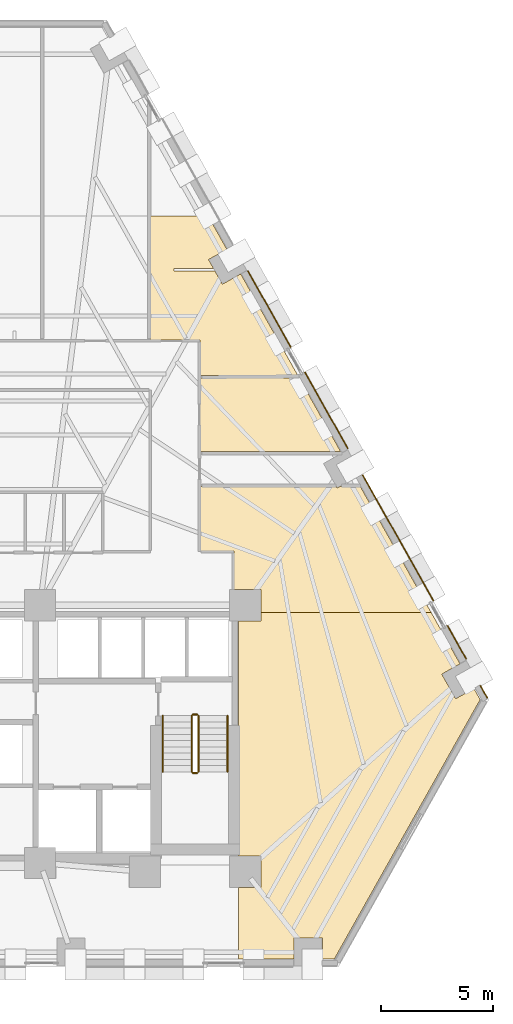
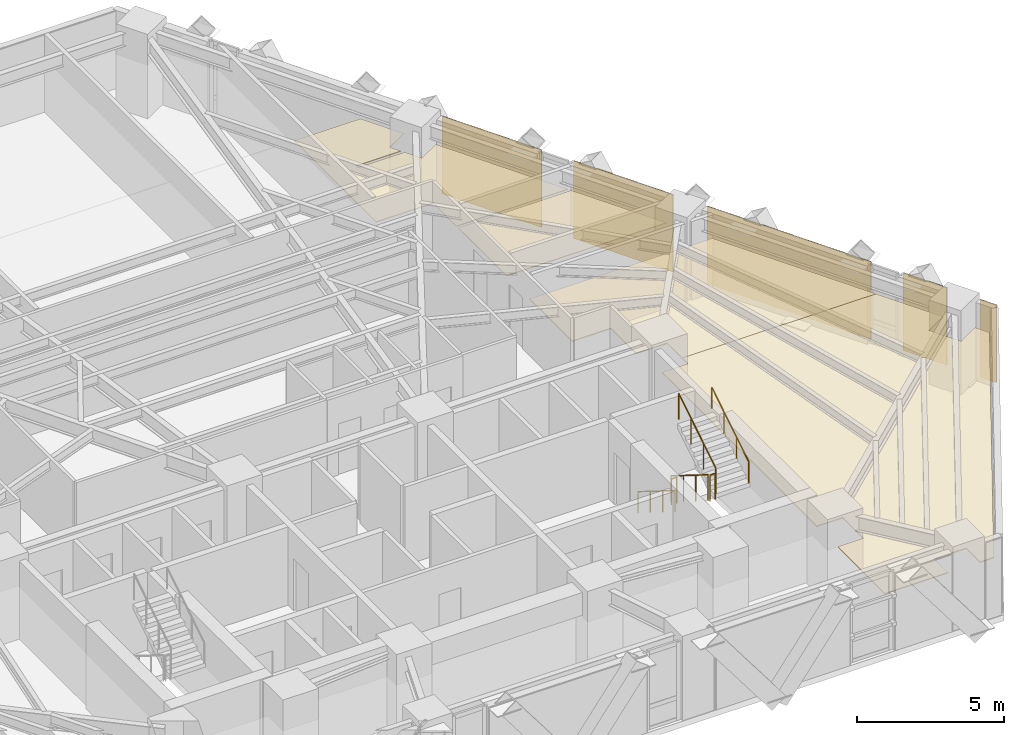
# One storey, part 12 of 13: 9 coverings, 6 railings.
"""IFC4 building model written with IfcOpenShell, lengths in metres."""

import ifcopenshell
import ifcopenshell.guid

model = None  # the IFC model being written
_history = None  # IfcOwnerHistory: only IFC2X3 demands one
_inside = {}  # id of a spatial element -> (the spatial element, [elements in it])
_under = {}  # id of a project, library or spatial element -> (it, [spatial elements below it])
_declared = {}  # id of a project -> (the project, [libraries it declares])
_typed = {}  # id of a type object -> (the type object, [elements of that type])
_made_of = {}  # id of a material, layer set ... -> (it, [elements and type objects made of it])


def new_model(schema):
    """Start an empty IFC model of exactly this schema.

    Asked for "IFC4X3", IfcOpenShell would pick the latest addendum, in which some entities
    have other attributes; the version numbers below select the first issue.
    IFC2X3 requires an IfcOwnerHistory on every rooted entity: one is made here for all.
    """
    global model, _history
    if schema == "IFC4X3":
        model = ifcopenshell.file(schema_version=(4, 3, 0, 0))
    else:
        model = ifcopenshell.file(schema=schema)
    _inside.clear()
    _under.clear()
    _declared.clear()
    _typed.clear()
    _made_of.clear()
    _history = None
    if model.schema == "IFC2X3":
        org = make("IfcOrganization", Name="unknown")
        user = make(
            "IfcPersonAndOrganization",
            ThePerson=make("IfcPerson", FamilyName="unknown"),
            TheOrganization=org,
        )
        app = make(
            "IfcApplication",
            ApplicationDeveloper=org,
            Version="unknown",
            ApplicationFullName="unknown",
            ApplicationIdentifier="unknown",
        )
        _history = make(
            "IfcOwnerHistory",
            OwningUser=user,
            OwningApplication=app,
            ChangeAction="ADDED",
            CreationDate=0,
        )
    return model


def make(cls, **values):
    """One entity of the class cls with the attributes given. An attribute that is None is left unset."""
    return model.create_entity(
        cls, **{name: value for name, value in values.items() if value is not None}
    )


def rooted(cls, **values):
    """An entity with a GlobalId (a new one), such as an element, a storey or a relation."""
    return make(cls, GlobalId=ifcopenshell.guid.new(), OwnerHistory=_history, **values)


def si_unit(unit_type, name, prefix=None):
    """IfcSIUnit, for example si_unit("LENGTHUNIT", "METRE", prefix="MILLI")."""
    return make("IfcSIUnit", UnitType=unit_type, Prefix=prefix, Name=name)


def assignment(units):
    """IfcUnitAssignment: the units of a project."""
    return None if units is None else make("IfcUnitAssignment", Units=units)


def point(xyz):
    """IfcCartesianPoint."""
    return None if xyz is None else make("IfcCartesianPoint", Coordinates=xyz)


def direction(xyz):
    """IfcDirection."""
    return None if xyz is None else make("IfcDirection", DirectionRatios=xyz)


def frame(location, z_axis=None, x_axis=None):
    """IfcAxis2Placement3D, a coordinate frame: its origin and axes. An axis left out is left unset."""
    return make(
        "IfcAxis2Placement3D",
        Location=point(location),
        Axis=direction(z_axis),
        RefDirection=direction(x_axis),
    )


def frame_2d(location, x_axis=None):
    """IfcAxis2Placement2D, a coordinate frame in the plane: its origin and x axis."""
    return make(
        "IfcAxis2Placement2D", Location=point(location), RefDirection=direction(x_axis)
    )


def origin():
    """The frame at (0, 0, 0) with its axes left unset."""
    return frame((0.0, 0.0, 0.0))


def origin_2d():
    """The frame at (0, 0) in the plane with its x axis left unset."""
    return frame_2d((0.0, 0.0))


def place(relative_to, where):
    """IfcLocalPlacement: puts the frame where relative to a parent placement (None: the world)."""
    return make(
        "IfcLocalPlacement", PlacementRelTo=relative_to, RelativePlacement=where
    )


def context(
    kind, dimensions, precision=None, world=None, true_north=None, identifier=None
):
    """IfcGeometricRepresentationContext, for example the 3D "Model" context."""
    return make(
        "IfcGeometricRepresentationContext",
        ContextIdentifier=identifier,
        ContextType=kind,
        CoordinateSpaceDimension=dimensions,
        Precision=precision,
        WorldCoordinateSystem=world,
        TrueNorth=true_north,
    )


def subcontext(parent, identifier, kind, view, scale=None):
    """IfcGeometricRepresentationSubContext, for example "Body" below "Model"."""
    return make(
        "IfcGeometricRepresentationSubContext",
        ContextIdentifier=identifier,
        ContextType=kind,
        ParentContext=parent,
        TargetScale=scale,
        TargetView=view,
    )


def project(units=None, contexts=None):
    """IfcProject with its units and contexts."""
    return rooted(
        "IfcProject",
        Name="project",
        RepresentationContexts=contexts,
        UnitsInContext=assignment(units),
    )


def spatial(cls, under=None, at=None, **own):
    """A site, building, storey or space (cls), placed at a placement, below another one or the project."""
    s = rooted(cls, ObjectPlacement=at, **own)
    if under is not None:
        _under.setdefault(under.id(), (under, []))[1].append(s)
    return s


def polyline(points):
    """IfcPolyline through the points."""
    return make("IfcPolyline", Points=[point(p) for p in points])


def profile(cls, at=None, kind="AREA", **sizes):
    """A parametric profile (cls). Its sizes go by their IFC names, for example OverallWidth=200.0."""
    return make(cls, ProfileType=kind, Position=at, **sizes)


def circle(**sizes):
    """IfcCircleProfileDef."""
    return profile("IfcCircleProfileDef", **sizes)


def outline(outer, holes=None, kind="AREA"):
    """IfcArbitraryClosedProfileDef: a profile drawn as a closed curve; with holes, ...WithVoids."""
    if holes is None:
        return make("IfcArbitraryClosedProfileDef", ProfileType=kind, OuterCurve=outer)
    return make(
        "IfcArbitraryProfileDefWithVoids",
        ProfileType=kind,
        OuterCurve=outer,
        InnerCurves=holes,
    )


def extrude(swept, where, along, depth):
    """IfcExtrudedAreaSolid: the profile swept, set in the frame where, extruded along a direction by depth."""
    return make(
        "IfcExtrudedAreaSolid",
        SweptArea=swept,
        Position=where,
        ExtrudedDirection=direction(along),
        Depth=depth,
    )


def shape(context_of_items, identifier, shape_type, items):
    """IfcShapeRepresentation: the items that make up one representation, for example the "Body"."""
    return make(
        "IfcShapeRepresentation",
        ContextOfItems=context_of_items,
        RepresentationIdentifier=identifier,
        RepresentationType=shape_type,
        Items=items,
    )


def material(Name=None, Category=None):
    """IfcMaterial."""
    return make("IfcMaterial", Name=Name, Category=Category)


def layer(
    of_material, thickness, ventilated=None, Name=None, Category=None, Priority=None
):
    """IfcMaterialLayer: one layer of a wall or slab, of a material (None: an air gap)."""
    return make(
        "IfcMaterialLayer",
        Material=of_material,
        LayerThickness=thickness,
        IsVentilated=ventilated,
        Name=Name,
        Category=Category,
        Priority=Priority,
    )


def layer_set(layers, Name=None):
    """IfcMaterialLayerSet."""
    return make("IfcMaterialLayerSet", MaterialLayers=layers, LayerSetName=Name)


def made_of(thing, what):
    """Note that an element or type object is made of a material, layer set ...; save() writes the relation."""
    if what is not None:
        _made_of.setdefault(what.id(), (what, []))[1].append(thing)
    return thing


def type_object(cls, material=None, **own):
    """A type object (cls), such as IfcWallType, which elements share."""
    return made_of(rooted(cls, **own), material)


def element(
    cls,
    number,
    at=None,
    inside=None,
    cuts=None,
    type_object=None,
    material=None,
    context=None,
    identifier="Body",
    shape_type=None,
    held_by="IfcProductDefinitionShape",
    body=None,
    shapes=None,
    **own,
):
    """One element of the class cls, such as IfcWall. Its Tag is "e" and its number.

    at: its placement. inside: the storey or other place that contains it. cuts: it is an
    opening in that element (IfcRelVoidsElement). A single representation is given by context,
    identifier, shape_type and body (its items); several are given by shapes. held_by: the class
    of the entity that holds the representations. save() writes the other relations.
    """
    e = rooted(cls, Tag="e%d" % number, ObjectPlacement=at, **own)
    if body is not None:
        shapes = [shape(context, identifier, shape_type, body)]
    if shapes is not None:
        e.Representation = make(held_by, Representations=shapes)
    if inside is not None:
        _inside.setdefault(inside.id(), (inside, []))[1].append(e)
    if cuts is not None:
        rooted(
            "IfcRelVoidsElement", RelatingBuildingElement=cuts, RelatedOpeningElement=e
        )
    if type_object is not None:
        _typed.setdefault(type_object.id(), (type_object, []))[1].append(e)
    return made_of(e, material)


def aggregate(whole, parts):
    """IfcRelAggregates: a whole, such as a stair, and the parts it consists of."""
    return rooted("IfcRelAggregates", RelatingObject=whole, RelatedObjects=parts)


def save(model, path):
    """Write the relations noted so far, then the file.

    IfcRelAggregates (storeys below a building ...), IfcRelContainedInSpatialStructure (elements
    in a storey), IfcRelDefinesByType, IfcRelAssociatesMaterial and IfcRelDeclares: one each for
    every whole, place, type object, material and project.
    """
    for whole, parts in _under.values():
        aggregate(whole, parts)
    for where, things in _inside.values():
        rooted(
            "IfcRelContainedInSpatialStructure",
            RelatedElements=things,
            RelatingStructure=where,
        )
    for kind, things in _typed.values():
        rooted("IfcRelDefinesByType", RelatedObjects=things, RelatingType=kind)
    for what, things in _made_of.values():
        rooted("IfcRelAssociatesMaterial", RelatedObjects=things, RelatingMaterial=what)
    for by, libraries in _declared.values():
        rooted("IfcRelDeclares", RelatingContext=by, RelatedDefinitions=libraries)
    model.write(path)


model = new_model("IFC4")

# Units and contexts
model_context = context("Model", 3, precision=1e-05, world=origin(), true_north=direction((0.0, 1.0)))
body_context = subcontext(model_context, "Body", "Model", "MODEL_VIEW")
ifc_project = project(units=[si_unit("LENGTHUNIT", "METRE"), si_unit("AREAUNIT", "SQUARE_METRE"), si_unit("VOLUMEUNIT", "CUBIC_METRE"), si_unit("PLANEANGLEUNIT", "RADIAN"), si_unit("MASSUNIT", "GRAM", prefix="KILO")], contexts=[model_context])

# Site, building, storey
site_placement = place(None, origin())
site = spatial("IfcSite", under=ifc_project, at=site_placement, CompositionType="ELEMENT")
building_placement = place(site_placement, origin())
building = spatial("IfcBuilding", under=site, at=building_placement, Name="Quenlor Broadcast Tower", CompositionType="ELEMENT")
storey_placement = place(building_placement, frame((0.0, 0.0, 69.60009765625)))
storey = spatial("IfcBuildingStorey", under=building, at=storey_placement, Name="L18", CompositionType="ELEMENT", Elevation=69.60009765625)

# Coverings
ifc_material_1 = material(Name="Acoustic Mineral Fibre Board", Category="other")
ifc_layer_1 = layer(ifc_material_1, 0.02490234375)
ifc_layer_set_1 = layer_set([ifc_layer_1], Name="Acoustic Perforated Mineral Tile Ceiling 25")
covering_type_1 = type_object("IfcCoveringType", Name="Acoustic Perforated Mineral Tile Ceiling 25", PredefinedType="CEILING", material=ifc_layer_set_1)
covering_1_placement = place(storey_placement, frame((0.0, 0.0, 2.224853515625)))
element("IfcCovering", 1, at=covering_1_placement, inside=storey, type_object=covering_type_1, Name="L18 Acoustic Ceiling L18-33", PredefinedType="CEILING", context=body_context, shape_type="SweptSolid", body=[
    extrude(outline(polyline([(11.589111328125, 10.179931640625), (11.921630859375, 9.5888671875), (12.74365234375, 10.05126953125), (15.3037109375, 5.5), (10.925048828125, 5.5), (10.925048828125, 7.080078125), (8.679931640625, 7.080078125), (8.679931640625, 12.64990234375), (11.28173828125, 12.64990234375), (12.122802734375, 11.154541015625), (11.301025390625, 10.6923828125), (11.521728515625, 10.300048828125), (9.75, 10.300048828125), (9.75, 10.179931640625), (11.589111328125, 10.179931640625)])), origin(), (0.0, 0.0, 1.0), 0.025146484375),
])
covering_2_placement = place(storey_placement, frame((0.0, 0.0, 2.224853515625)))
element("IfcCovering", 2, at=covering_2_placement, inside=storey, type_object=covering_type_1, Name="L18 Acoustic Ceiling L18-35", PredefinedType="CEILING", context=body_context, shape_type="SweptSolid", body=[
    extrude(outline(polyline([(15.37109375, 5.3798828125), (17.21630859375, 2.10009765625), (10.925048828125, 2.10009765625), (10.925048828125, 5.3798828125), (15.37109375, 5.3798828125)])), origin(), (0.0, 0.0, 1.0), 0.025146484375),
])
ifc_material_2 = material(Name="Acoustic Gypsum Board", Category="other")
ifc_layer_2 = layer(ifc_material_2, 0.0400390625)
ifc_layer_set_2 = layer_set([ifc_layer_2], Name="Broadcast Studio Spring Isolated Ceiling 40")
covering_type_2 = type_object("IfcCoveringType", Name="Broadcast Studio Spring Isolated Ceiling 40", PredefinedType="CEILING", material=ifc_layer_set_2)
covering_3_placement = place(storey_placement, frame((0.0, 0.0, 2.2099609375)))
element("IfcCovering", 3, at=covering_3_placement, inside=storey, type_object=covering_type_2, Name="L18 Acoustic Ceiling L18-37-2", PredefinedType="CEILING", context=body_context, shape_type="SweptSolid", body=[
    extrude(outline(polyline([(13.657958984375, -4.092041015625), (12.43994140625, -4.092041015625), (12.43994140625, -2.3701171875), (10.925048828125, -2.3701171875), (10.925048828125, 0.523193359375), (17.02099609375, 0.523193359375), (17.0625, 0.44970703125), (17.193359375, 0.523193359375), (18.10302734375, 0.523193359375), (21.27734375, -5.1201171875), (13.657958984375, -5.1201171875), (13.657958984375, -4.092041015625)])), origin(), (0.0, 0.0, 1.0), 0.0400390625),
])
covering_4_placement = place(storey_placement, frame((0.0, 0.0, 2.2099609375)))
element("IfcCovering", 4, at=covering_4_placement, inside=storey, type_object=covering_type_2, Name="L18 Acoustic Ceiling L18-37-4", PredefinedType="CEILING", context=body_context, shape_type="SweptSolid", body=[
    extrude(outline(polyline([(13.657958984375, -17.4580078125), (13.657958984375, -16.0419921875), (12.64990234375, -16.0419921875), (12.64990234375, -5.508056640625), (13.657958984375, -5.508056640625), (13.657958984375, -5.1201171875), (21.27734375, -5.1201171875), (22.575927734375, -7.428466796875), (21.754150390625, -7.890625), (22.374755859375, -8.994140625), (23.196533203125, -8.531982421875), (23.477783203125, -9.031982421875), (16.937255859375, -20.659912109375), (16.398193359375, -20.659912109375), (16.398193359375, -19.717041015625), (15.132080078125, -19.717041015625), (15.132080078125, -20.659912109375), (12.64990234375, -20.659912109375), (12.64990234375, -17.4580078125), (13.657958984375, -17.4580078125)])), origin(), (0.0, 0.0, 1.0), 0.0400390625),
])
ifc_material_3 = material(Name="Architectural Terracotta Ceramic", Category="masonry")
ifc_layer_3 = layer(ifc_material_3, 0.044921875)
ifc_layer_set_3 = layer_set([ifc_layer_3], Name="Fluted Terracotta Rainscreen Cladding Panel")
covering_type_3 = type_object("IfcCoveringType", Name="Fluted Terracotta Rainscreen Cladding Panel", PredefinedType="CLADDING", material=ifc_layer_set_3)
covering_5_placement = place(storey_placement, frame((0.0, 0.0, 0.02001953125)))
element("IfcCovering", 5, at=covering_5_placement, inside=storey, type_object=covering_type_3, Name="L18 Terracotta Rainscreen Cladding L18-SHD-NES1", PredefinedType="CLADDING", context=body_context, shape_type="SweptSolid", body=[
    extrude(outline(polyline([(23.464111328125, -8.412109375), (23.781982421875, -8.97705078125), (23.8212890625, -8.955078125), (23.50341796875, -8.39013671875), (23.464111328125, -8.412109375)])), origin(), (0.0, 0.0, 1.0), 3.2099609375),
])
covering_6_placement = place(storey_placement, frame((0.0, 0.0, 0.02001953125)))
element("IfcCovering", 6, at=covering_6_placement, inside=storey, type_object=covering_type_3, Name="L18 Terracotta Rainscreen Cladding L18-NEC-SP1", PredefinedType="CLADDING", context=body_context, shape_type="SweptSolid", body=[
    extrude(outline(polyline([(18.18798828125, 1.029052734375), (21.36669921875, -4.621826171875), (21.406005859375, -4.599853515625), (18.227294921875, 1.051025390625), (18.18798828125, 1.029052734375)])), origin(), (0.0, 0.0, 1.0), 3.2099609375),
])
covering_7_placement = place(storey_placement, frame((0.0, 0.0, 0.02001953125)))
element("IfcCovering", 7, at=covering_7_placement, inside=storey, type_object=covering_type_3, Name="L18 Terracotta Rainscreen Cladding L18-NEC-SP2", PredefinedType="CLADDING", context=body_context, shape_type="SweptSolid", body=[
    extrude(outline(polyline([(21.989013671875, -5.728271484375), (22.83349609375, -7.2294921875), (22.872802734375, -7.20751953125), (22.0283203125, -5.706298828125), (21.989013671875, -5.728271484375)])), origin(), (0.0, 0.0, 1.0), 3.2099609375),
])
covering_8_placement = place(storey_placement, frame((0.0, 0.0, 0.02001953125)))
element("IfcCovering", 8, at=covering_8_placement, inside=storey, type_object=covering_type_3, Name="L18 Terracotta Rainscreen Cladding L18-NE-SP1", PredefinedType="CLADDING", context=body_context, shape_type="SweptSolid", body=[
    extrude(outline(polyline([(13.044921875, 10.172607421875), (14.97314453125, 6.744384765625), (15.012451171875, 6.766357421875), (13.083984375, 10.194580078125), (13.044921875, 10.172607421875)])), origin(), (0.0, 0.0, 1.0), 3.2099609375),
])
covering_9_placement = place(storey_placement, frame((0.0, 0.0, 0.02001953125)))
element("IfcCovering", 9, at=covering_9_placement, inside=storey, type_object=covering_type_3, Name="L18 Terracotta Rainscreen Cladding L18-NE-SP2", PredefinedType="CLADDING", context=body_context, shape_type="SweptSolid", body=[
    extrude(outline(polyline([(15.595458984375, 5.63818359375), (17.523681640625, 2.2099609375), (17.56298828125, 2.23193359375), (15.634765625, 5.66015625), (15.595458984375, 5.63818359375)])), origin(), (0.0, 0.0, 1.0), 3.2099609375),
])

# Railings
ifc_material_4 = material(Name="Anodised Aluminium", Category="aluminium")
railing_type_1 = type_object("IfcRailingType", Name="Stainless Aluminium Wall Handrail 900", PredefinedType="HANDRAIL", material=ifc_material_4)
railing_1_placement = place(storey_placement, frame((9.25, -9.75, 0.1748046875)))
element("IfcRailing", 10, at=railing_1_placement, inside=storey, type_object=railing_type_1, Name="L18 ST-2 stair handrail 1", PredefinedType="HANDRAIL", context=body_context, shape_type="SweptSolid", body=[
    extrude(circle(Radius=0.02392578125, at=origin_2d()), frame((0.0, 0.0, 0.8759765625), z_axis=(0.0, -0.847970611238, 0.530043245855), x_axis=(1.0, 0.0, 0.0)), (0.0, 0.0, 1.0), 2.971923828125),
    extrude(circle(Radius=0.02099609375, at=origin_2d()), origin(), (0.0, 0.0, 1.0), 0.851806640625),
    extrude(circle(Radius=0.02099609375, at=origin_2d()), frame((0.0, -0.840087890625, 0.525146484375)), (0.0, 0.0, 1.0), 0.851806640625),
    extrude(circle(Radius=0.02099609375, at=origin_2d()), frame((0.0, -1.679931640625, 1.050048828125)), (0.0, 0.0, 1.0), 0.851806640625),
    extrude(circle(Radius=0.02099609375, at=origin_2d()), frame((0.0, -2.52001953125, 1.5751953125)), (0.0, 0.0, 1.0), 0.851806640625),
])
railing_2_placement = place(storey_placement, frame((12.14990234375, -12.27001953125, 1.9248046875)))
element("IfcRailing", 11, at=railing_2_placement, inside=storey, type_object=railing_type_1, Name="L18 ST-2 stair handrail 2", PredefinedType="HANDRAIL", context=body_context, shape_type="SweptSolid", body=[
    extrude(circle(Radius=0.02392578125, at=origin_2d()), frame((0.0, 0.0, 0.8759765625), z_axis=(0.0, 0.847970611238, 0.530043245855), x_axis=(-1.0, 0.0, 0.0)), (0.0, 0.0, 1.0), 2.971923828125),
    extrude(circle(Radius=0.02099609375, at=origin_2d()), origin(), (0.0, 0.0, 1.0), 0.851806640625),
    extrude(circle(Radius=0.02099609375, at=origin_2d()), frame((0.0, 0.840087890625, 0.525146484375)), (0.0, 0.0, 1.0), 0.851806640625),
    extrude(circle(Radius=0.02099609375, at=origin_2d()), frame((0.0, 1.679931640625, 1.050048828125)), (0.0, 0.0, 1.0), 0.851806640625),
    extrude(circle(Radius=0.02099609375, at=origin_2d()), frame((0.0, 2.52001953125, 1.5751953125)), (0.0, 0.0, 1.0), 0.851806640625),
])
ifc_material_5 = material(Name="Steel S355", Category="steel")
railing_type_2 = type_object("IfcRailingType", Name="Tubular Steel S355 Stair Guardrail 1100", PredefinedType="BALUSTRADE", material=ifc_material_5)
railing_3_placement = place(storey_placement, frame((10.550048828125, -9.75, 0.1748046875)))
element("IfcRailing", 12, at=railing_3_placement, inside=storey, type_object=railing_type_2, Name="L18 ST-2 stair guard 1", PredefinedType="BALUSTRADE", context=body_context, shape_type="SweptSolid", body=[
    extrude(circle(Radius=0.02392578125, at=origin_2d()), frame((0.0, 0.0, 1.076171875), z_axis=(0.0, -0.847970611238, 0.530043245855), x_axis=(1.0, 0.0, 0.0)), (0.0, 0.0, 1.0), 2.971923828125),
    extrude(circle(Radius=0.02099609375, at=origin_2d()), origin(), (0.0, 0.0, 1.0), 1.052001953125),
    extrude(circle(Radius=0.02099609375, at=origin_2d()), frame((0.0, -0.840087890625, 0.525146484375)), (0.0, 0.0, 1.0), 1.052001953125),
    extrude(circle(Radius=0.02099609375, at=origin_2d()), frame((0.0, -1.679931640625, 1.050048828125)), (0.0, 0.0, 1.0), 1.052001953125),
    extrude(circle(Radius=0.02099609375, at=origin_2d()), frame((0.0, -2.52001953125, 1.5751953125)), (0.0, 0.0, 1.0), 1.052001953125),
])
railing_4_placement = place(storey_placement, frame((10.60009765625, -12.320068359375, 1.75)))
element("IfcRailing", 13, at=railing_4_placement, inside=storey, type_object=railing_type_2, Name="L18 ST-2 stair guard 2", PredefinedType="BALUSTRADE", context=body_context, shape_type="SweptSolid", body=[
    extrude(circle(Radius=0.02392578125, at=origin_2d()), frame((0.0, 0.0, 1.076171875), z_axis=(1.0, 0.0, 0.0), x_axis=(0.0, 1.0, 0.0)), (0.0, 0.0, 1.0), 0.199951171875),
    extrude(circle(Radius=0.02099609375, at=origin_2d()), origin(), (0.0, 0.0, 1.0), 1.052001953125),
    extrude(circle(Radius=0.02099609375, at=origin_2d()), frame((0.199951171875, 0.0, 0.0)), (0.0, 0.0, 1.0), 1.052001953125),
])
railing_5_placement = place(storey_placement, frame((10.85009765625, -12.27001953125, 1.9248046875)))
element("IfcRailing", 14, at=railing_5_placement, inside=storey, type_object=railing_type_2, Name="L18 ST-2 stair guard 3", PredefinedType="BALUSTRADE", context=body_context, shape_type="SweptSolid", body=[
    extrude(circle(Radius=0.02392578125, at=origin_2d()), frame((0.0, 0.0, 1.076171875), z_axis=(0.0, 0.847970611238, 0.530043245855), x_axis=(-1.0, 0.0, 0.0)), (0.0, 0.0, 1.0), 2.971923828125),
    extrude(circle(Radius=0.02099609375, at=origin_2d()), origin(), (0.0, 0.0, 1.0), 1.052001953125),
    extrude(circle(Radius=0.02099609375, at=origin_2d()), frame((0.0, 0.840087890625, 0.525146484375)), (0.0, 0.0, 1.0), 1.052001953125),
    extrude(circle(Radius=0.02099609375, at=origin_2d()), frame((0.0, 1.679931640625, 1.050048828125)), (0.0, 0.0, 1.0), 1.052001953125),
    extrude(circle(Radius=0.02099609375, at=origin_2d()), frame((0.0, 2.52001953125, 1.5751953125)), (0.0, 0.0, 1.0), 1.052001953125),
])
railing_6_placement = place(storey_placement, frame((10.60009765625, -9.699951171875, 0.0)))
element("IfcRailing", 15, at=railing_6_placement, inside=storey, type_object=railing_type_2, Name="L18 ST-2 stair guard 4", PredefinedType="BALUSTRADE", context=body_context, shape_type="SweptSolid", body=[
    extrude(circle(Radius=0.02392578125, at=origin_2d()), frame((0.0, 0.0, 1.076171875), z_axis=(1.0, 0.0, 0.0), x_axis=(0.0, 1.0, 0.0)), (0.0, 0.0, 1.0), 0.199951171875),
    extrude(circle(Radius=0.02099609375, at=origin_2d()), origin(), (0.0, 0.0, 1.0), 1.052001953125),
    extrude(circle(Radius=0.02099609375, at=origin_2d()), frame((0.199951171875, 0.0, 0.0)), (0.0, 0.0, 1.0), 1.052001953125),
])

save(model, "model.ifc")
